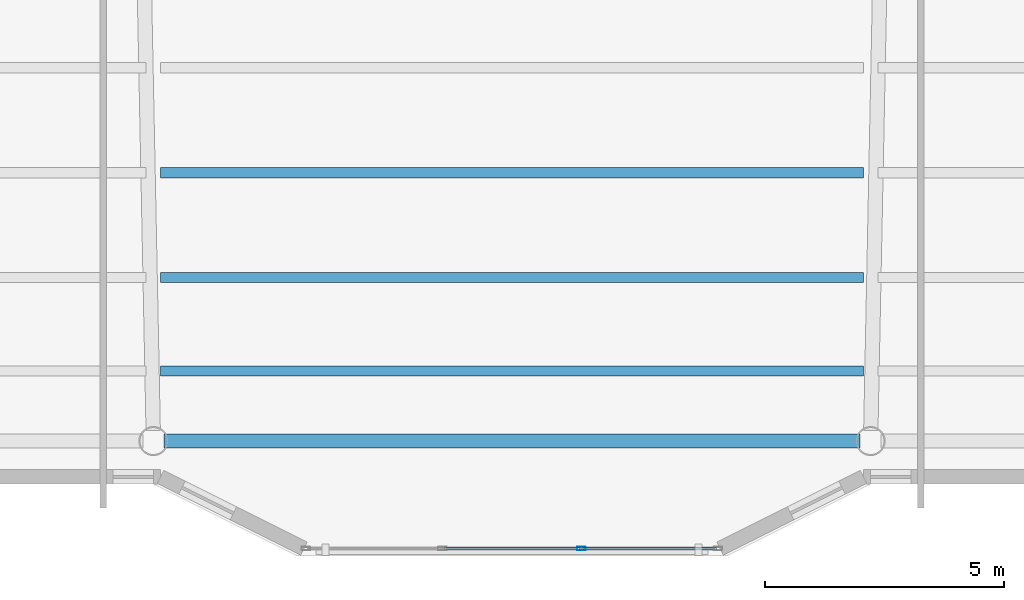
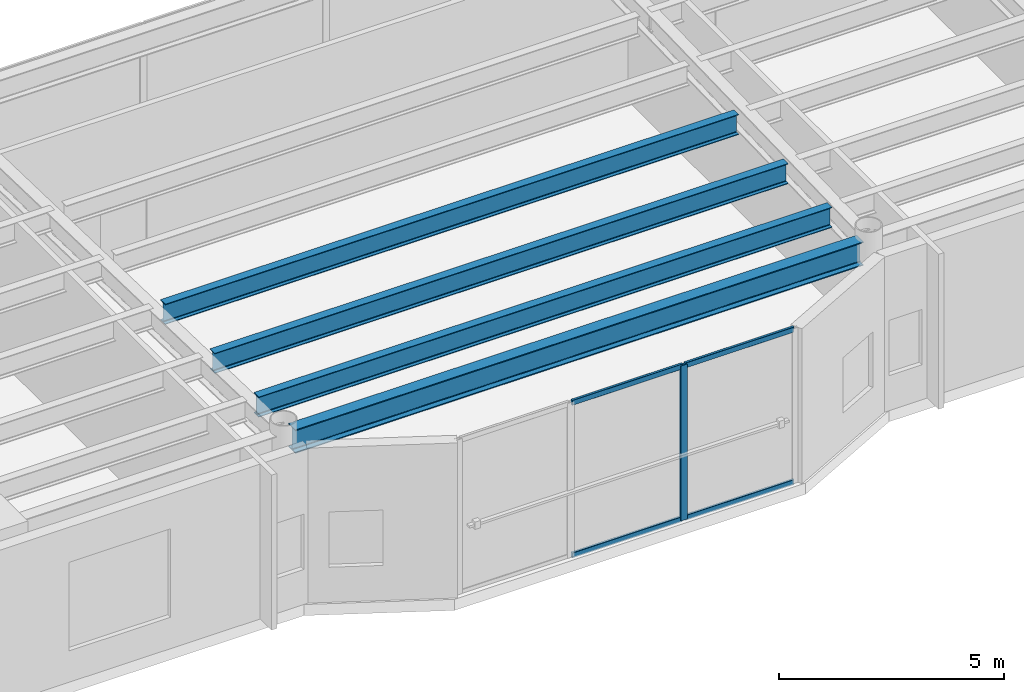
# One storey, part 4 of 40: 5 members, 4 beams, 1 element without a shape of its own.
"""IFC4 building model written with IfcOpenShell, lengths in metres."""

from ifc_helpers import new_model, si_unit, direction, frame, origin, origin_2d, place, context, subcontext, project, spatial, hollow_rectangle, i_section, extrude, material, layer, layer_set, material_profile, profile_set, type_object, element, aggregate, save


model = new_model("IFC4")

# Units and contexts
model_context = context("Model", 3, precision=1e-05, world=origin(), true_north=direction((0.0, 1.0)))
body_context = subcontext(model_context, "Body", "Model", "MODEL_VIEW")
ifc_project = project(units=[si_unit("LENGTHUNIT", "METRE"), si_unit("AREAUNIT", "SQUARE_METRE"), si_unit("VOLUMEUNIT", "CUBIC_METRE"), si_unit("PLANEANGLEUNIT", "RADIAN"), si_unit("MASSUNIT", "GRAM", prefix="KILO")], contexts=[model_context])

# Site, building, storey
site_placement = place(None, origin())
site = spatial("IfcSite", under=ifc_project, at=site_placement, CompositionType="ELEMENT")
building_placement = place(site_placement, origin())
building = spatial("IfcBuilding", under=site, at=building_placement, Name="Tarnavaz Court Tower", CompositionType="ELEMENT")
storey_placement = place(building_placement, frame((0.0, 0.0, 64.199951171875)))
storey = spatial("IfcBuildingStorey", under=building, at=storey_placement, Name="L17", CompositionType="ELEMENT", Elevation=64.199951171875)

# Beams
ifc_material_1 = material(Name="Steel S355", Category="steel")
ifc_material_profile_1 = material_profile(ifc_material_1, i_section(OverallWidth=0.2099609375, OverallDepth=0.550048828125, WebThickness=0.010986328125, FlangeThickness=0.01708984375, FilletRadius=0.02392578125, at=origin_2d()), Name="IPE 550")
ifc_profile_set_1 = profile_set([ifc_material_profile_1], Name="Steel S355")
beam_type_1 = type_object("IfcBeamType", Name="BM-J-IPE550", PredefinedType="JOIST", material=ifc_profile_set_1)
for number, where, z_axis, x_axis, name in (
    (1, (-7.35009765625, -17.18798828125, 3.925048828125), (1.0, 0.0, 0.0), (0.0, 1.0, 0.0), "L17 Beam JS3-2"),
    (2, (-7.35009765625, -19.384033203125, 3.925048828125), (1.0, 0.0, 0.0), (0.0, 1.0, 0.0), "L17 Beam JS4-2"),
    (3, (-7.35009765625, -21.3359375, 3.925048828125), (1.0, 0.0, 0.0), (0.0, 1.0, 0.0), "L17 Beam JS5-2"),
):
    element("IfcBeam", number, at=place(storey_placement, frame(where, z_axis=z_axis, x_axis=x_axis)), inside=storey, type_object=beam_type_1, Name=name, PredefinedType="JOIST", context=body_context, shape_type="SweptSolid", body=[
        extrude(i_section(OverallWidth=0.2099609375, OverallDepth=0.550048828125, WebThickness=0.010986328125, FlangeThickness=0.01708984375, FilletRadius=0.02392578125, at=origin_2d()), origin(), (0.0, 0.0, 1.0), 14.7001953125),
    ])
ifc_material_profile_2 = material_profile(ifc_material_1, i_section(OverallWidth=0.300048828125, OverallDepth=0.639892578125, WebThickness=0.013427734375, FlangeThickness=0.02587890625, FilletRadius=0.027099609375, at=origin_2d()), Name="HEA 650")
ifc_profile_set_2 = profile_set([ifc_material_profile_2], Name="Steel S355")
beam_type_2 = type_object("IfcBeamType", Name="BM-SP-HEA650", PredefinedType="SPANDREL", material=ifc_profile_set_2)
beam_placement = place(storey_placement, frame((-7.280029296875, -22.800048828125, 3.880126953125), z_axis=(1.0, 0.0, 0.0), x_axis=(0.0, 1.0, 0.0)))
element("IfcBeam", 4, at=beam_placement, inside=storey, type_object=beam_type_2, Name="L17 Beam PR-PS-2-PS-3", PredefinedType="SPANDREL", context=body_context, shape_type="SweptSolid", body=[
    extrude(i_section(OverallWidth=0.300048828125, OverallDepth=0.639892578125, WebThickness=0.013427734375, FlangeThickness=0.02587890625, FilletRadius=0.027099609375, at=origin_2d()), origin(), (0.0, 0.0, 1.0), 14.56005859375),
])

# Curtain wall, members
ifc_material_2 = material(Name="Anodised Aluminium 6063-T6 and Solar Low-E Glazing", Category="aluminium")
ifc_layer = layer(ifc_material_2, 0.179931640625)
ifc_layer_set = layer_set([ifc_layer], Name="Anodised Aluminium 6063-T6 and Solar Low-E Glazing")
curtain_wall_type = type_object("IfcCurtainWallType", Name="CW-SYS-02", PredefinedType="NOTDEFINED", material=ifc_layer_set)
curtain_wall_placement = place(storey_placement, origin())
curtain_wall = element("IfcCurtainWall", 5, at=curtain_wall_placement, inside=storey, type_object=curtain_wall_type, Name="L17 Iwan Prow Curtain Wall 17", PredefinedType="NOTDEFINED")
ifc_material_3 = material(Name="Anodised Aluminium 6063-T6", Category="aluminium")
ifc_material_profile_3 = material_profile(ifc_material_3, hollow_rectangle(XDim=0.074951171875, YDim=0.179931640625, WallThickness=0.0048828125, InnerFilletRadius=0.0048828125, OuterFilletRadius=0.010009765625, at=origin_2d()), Name="ALU RHS 180X75X5")
ifc_profile_set_3 = profile_set([ifc_material_profile_3], Name="Anodised Aluminium 6063-T6")
member_type_1 = type_object("IfcMemberType", Name="CW-MUL-180", PredefinedType="MULLION", material=ifc_profile_set_3)
member_1_placement = place(storey_placement, frame((1.449951171875, -25.050048828125, 0.0), z_axis=(0.0, 0.0, 1.0), x_axis=(0.0, -1.0, 0.0)))
member_1 = element("IfcMember", 6, at=member_1_placement, type_object=member_type_1, Name="CW mullion 2", PredefinedType="MULLION", context=body_context, shape_type="SweptSolid", body=[
    extrude(hollow_rectangle(XDim=0.074951171875, YDim=0.179931640625, WallThickness=0.0048828125, InnerFilletRadius=0.0048828125, OuterFilletRadius=0.010009765625, at=origin_2d()), origin(), (0.0, 0.0, 1.0), 4.199951171875),
])
ifc_material_profile_4 = material_profile(ifc_material_3, hollow_rectangle(XDim=0.06494140625, YDim=0.139892578125, WallThickness=0.00390625, InnerFilletRadius=0.00390625, OuterFilletRadius=0.008056640625, at=origin_2d()), Name="ALU RHS 140X65X4")
ifc_profile_set_4 = profile_set([ifc_material_profile_4], Name="Anodised Aluminium 6063-T6")
member_type_2 = type_object("IfcMemberType", Name="CW-TRN-140", PredefinedType="USERDEFINED", material=ifc_profile_set_4)
member_2_placement = place(storey_placement, frame((4.27490234375, -25.050048828125, 0.032470703125), z_axis=(-1.0, 0.0, 0.0), x_axis=(0.0, -1.0, 0.0)))
member_2 = element("IfcMember", 7, at=member_2_placement, type_object=member_type_2, Name="CW transom 1.1", ObjectType="TRANSOM", PredefinedType="USERDEFINED", context=body_context, shape_type="SweptSolid", body=[
    extrude(hollow_rectangle(XDim=0.06494140625, YDim=0.139892578125, WallThickness=0.00390625, InnerFilletRadius=0.00390625, OuterFilletRadius=0.008056640625, at=origin_2d()), origin(), (0.0, 0.0, 1.0), 2.787353515625),
])
member_3_placement = place(storey_placement, frame((4.27490234375, -25.050048828125, 4.16748046875), z_axis=(-1.0, 0.0, 0.0), x_axis=(0.0, -1.0, 0.0)))
member_3 = element("IfcMember", 8, at=member_3_placement, type_object=member_type_2, Name="CW transom 1.2", ObjectType="TRANSOM", PredefinedType="USERDEFINED", context=body_context, shape_type="SweptSolid", body=[
    extrude(hollow_rectangle(XDim=0.06494140625, YDim=0.139892578125, WallThickness=0.00390625, InnerFilletRadius=0.00390625, OuterFilletRadius=0.008056640625, at=origin_2d()), origin(), (0.0, 0.0, 1.0), 2.787353515625),
])
member_4_placement = place(storey_placement, frame((1.41259765625, -25.050048828125, 0.032470703125), z_axis=(-1.0, 0.0, 0.0), x_axis=(0.0, -1.0, 0.0)))
member_4 = element("IfcMember", 9, at=member_4_placement, type_object=member_type_2, Name="CW transom 2.1", ObjectType="TRANSOM", PredefinedType="USERDEFINED", context=body_context, shape_type="SweptSolid", body=[
    extrude(hollow_rectangle(XDim=0.06494140625, YDim=0.139892578125, WallThickness=0.00390625, InnerFilletRadius=0.00390625, OuterFilletRadius=0.008056640625, at=origin_2d()), origin(), (0.0, 0.0, 1.0), 2.8251953125),
])
member_5_placement = place(storey_placement, frame((1.41259765625, -25.050048828125, 4.16748046875), z_axis=(-1.0, 0.0, 0.0), x_axis=(0.0, -1.0, 0.0)))
member_5 = element("IfcMember", 10, at=member_5_placement, type_object=member_type_2, Name="CW transom 2.2", ObjectType="TRANSOM", PredefinedType="USERDEFINED", context=body_context, shape_type="SweptSolid", body=[
    extrude(hollow_rectangle(XDim=0.06494140625, YDim=0.139892578125, WallThickness=0.00390625, InnerFilletRadius=0.00390625, OuterFilletRadius=0.008056640625, at=origin_2d()), origin(), (0.0, 0.0, 1.0), 2.8251953125),
])
aggregate(curtain_wall, [member_1, member_2, member_3, member_4, member_5])

save(model, "model.ifc")
